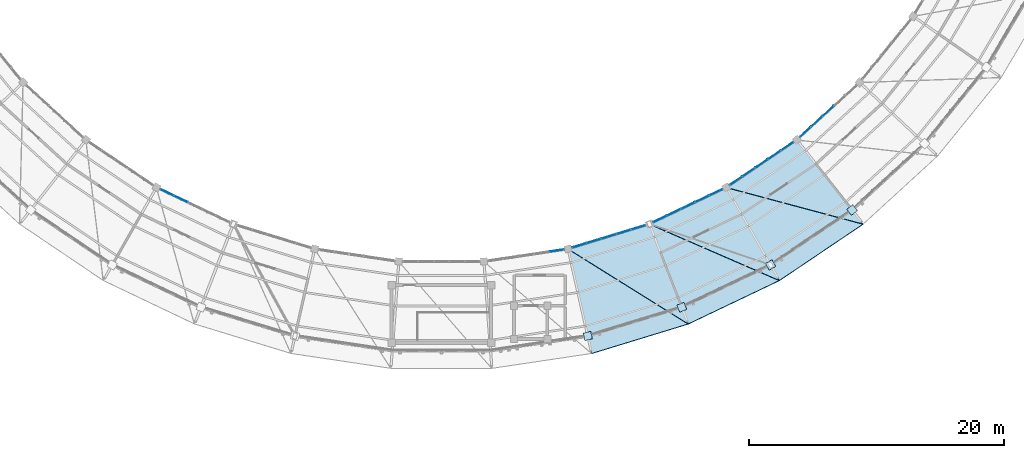
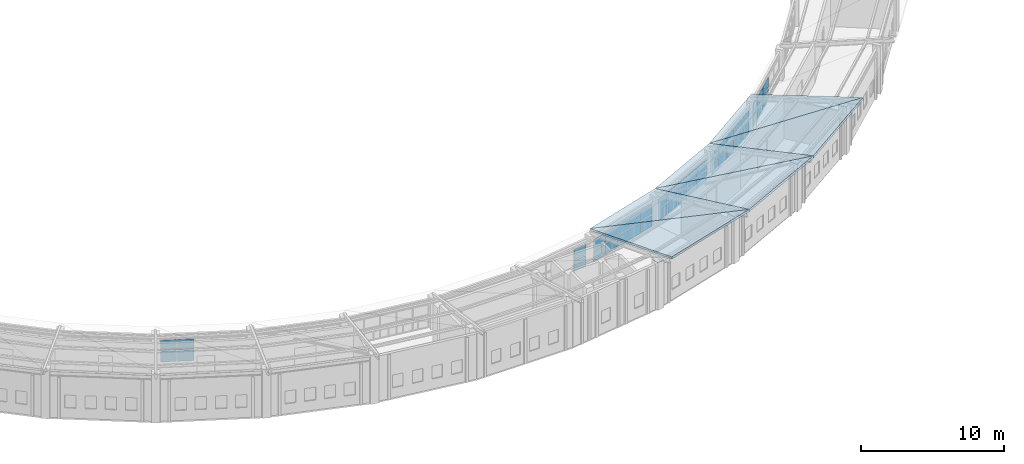
# One storey, part 104 of 149: 46 plates, 6 slabs, 6 elements without a shape of their own.
"""IFC4 building model written with IfcOpenShell, lengths in metres."""

import ifcopenshell
import ifcopenshell.guid

model = None  # the IFC model being written
_history = None  # IfcOwnerHistory: only IFC2X3 demands one
_inside = {}  # id of a spatial element -> (the spatial element, [elements in it])
_under = {}  # id of a project, library or spatial element -> (it, [spatial elements below it])
_declared = {}  # id of a project -> (the project, [libraries it declares])
_typed = {}  # id of a type object -> (the type object, [elements of that type])
_made_of = {}  # id of a material, layer set ... -> (it, [elements and type objects made of it])


def new_model(schema):
    """Start an empty IFC model of exactly this schema.

    Asked for "IFC4X3", IfcOpenShell would pick the latest addendum, in which some entities
    have other attributes; the version numbers below select the first issue.
    IFC2X3 requires an IfcOwnerHistory on every rooted entity: one is made here for all.
    """
    global model, _history
    if schema == "IFC4X3":
        model = ifcopenshell.file(schema_version=(4, 3, 0, 0))
    else:
        model = ifcopenshell.file(schema=schema)
    _inside.clear()
    _under.clear()
    _declared.clear()
    _typed.clear()
    _made_of.clear()
    _history = None
    if model.schema == "IFC2X3":
        org = make("IfcOrganization", Name="unknown")
        user = make(
            "IfcPersonAndOrganization",
            ThePerson=make("IfcPerson", FamilyName="unknown"),
            TheOrganization=org,
        )
        app = make(
            "IfcApplication",
            ApplicationDeveloper=org,
            Version="unknown",
            ApplicationFullName="unknown",
            ApplicationIdentifier="unknown",
        )
        _history = make(
            "IfcOwnerHistory",
            OwningUser=user,
            OwningApplication=app,
            ChangeAction="ADDED",
            CreationDate=0,
        )
    return model


def make(cls, **values):
    """One entity of the class cls with the attributes given. An attribute that is None is left unset."""
    return model.create_entity(
        cls, **{name: value for name, value in values.items() if value is not None}
    )


def rooted(cls, **values):
    """An entity with a GlobalId (a new one), such as an element, a storey or a relation."""
    return make(cls, GlobalId=ifcopenshell.guid.new(), OwnerHistory=_history, **values)


def si_unit(unit_type, name, prefix=None):
    """IfcSIUnit, for example si_unit("LENGTHUNIT", "METRE", prefix="MILLI")."""
    return make("IfcSIUnit", UnitType=unit_type, Prefix=prefix, Name=name)


def assignment(units):
    """IfcUnitAssignment: the units of a project."""
    return None if units is None else make("IfcUnitAssignment", Units=units)


def point(xyz):
    """IfcCartesianPoint."""
    return None if xyz is None else make("IfcCartesianPoint", Coordinates=xyz)


def direction(xyz):
    """IfcDirection."""
    return None if xyz is None else make("IfcDirection", DirectionRatios=xyz)


def frame(location, z_axis=None, x_axis=None):
    """IfcAxis2Placement3D, a coordinate frame: its origin and axes. An axis left out is left unset."""
    return make(
        "IfcAxis2Placement3D",
        Location=point(location),
        Axis=direction(z_axis),
        RefDirection=direction(x_axis),
    )


def frame_2d(location, x_axis=None):
    """IfcAxis2Placement2D, a coordinate frame in the plane: its origin and x axis."""
    return make(
        "IfcAxis2Placement2D", Location=point(location), RefDirection=direction(x_axis)
    )


def origin():
    """The frame at (0, 0, 0) with its axes left unset."""
    return frame((0.0, 0.0, 0.0))


def origin_2d():
    """The frame at (0, 0) in the plane with its x axis left unset."""
    return frame_2d((0.0, 0.0))


def place(relative_to, where):
    """IfcLocalPlacement: puts the frame where relative to a parent placement (None: the world)."""
    return make(
        "IfcLocalPlacement", PlacementRelTo=relative_to, RelativePlacement=where
    )


def context(
    kind, dimensions, precision=None, world=None, true_north=None, identifier=None
):
    """IfcGeometricRepresentationContext, for example the 3D "Model" context."""
    return make(
        "IfcGeometricRepresentationContext",
        ContextIdentifier=identifier,
        ContextType=kind,
        CoordinateSpaceDimension=dimensions,
        Precision=precision,
        WorldCoordinateSystem=world,
        TrueNorth=true_north,
    )


def subcontext(parent, identifier, kind, view, scale=None):
    """IfcGeometricRepresentationSubContext, for example "Body" below "Model"."""
    return make(
        "IfcGeometricRepresentationSubContext",
        ContextIdentifier=identifier,
        ContextType=kind,
        ParentContext=parent,
        TargetScale=scale,
        TargetView=view,
    )


def project(units=None, contexts=None):
    """IfcProject with its units and contexts."""
    return rooted(
        "IfcProject",
        Name="project",
        RepresentationContexts=contexts,
        UnitsInContext=assignment(units),
    )


def spatial(cls, under=None, at=None, **own):
    """A site, building, storey or space (cls), placed at a placement, below another one or the project."""
    s = rooted(cls, ObjectPlacement=at, **own)
    if under is not None:
        _under.setdefault(under.id(), (under, []))[1].append(s)
    return s


def polyline(points):
    """IfcPolyline through the points."""
    return make("IfcPolyline", Points=[point(p) for p in points])


def profile(cls, at=None, kind="AREA", **sizes):
    """A parametric profile (cls). Its sizes go by their IFC names, for example OverallWidth=200.0."""
    return make(cls, ProfileType=kind, Position=at, **sizes)


def rectangle(**sizes):
    """IfcRectangleProfileDef."""
    return profile("IfcRectangleProfileDef", **sizes)


def outline(outer, holes=None, kind="AREA"):
    """IfcArbitraryClosedProfileDef: a profile drawn as a closed curve; with holes, ...WithVoids."""
    if holes is None:
        return make("IfcArbitraryClosedProfileDef", ProfileType=kind, OuterCurve=outer)
    return make(
        "IfcArbitraryProfileDefWithVoids",
        ProfileType=kind,
        OuterCurve=outer,
        InnerCurves=holes,
    )


def extrude(swept, where, along, depth):
    """IfcExtrudedAreaSolid: the profile swept, set in the frame where, extruded along a direction by depth."""
    return make(
        "IfcExtrudedAreaSolid",
        SweptArea=swept,
        Position=where,
        ExtrudedDirection=direction(along),
        Depth=depth,
    )


def shape(context_of_items, identifier, shape_type, items):
    """IfcShapeRepresentation: the items that make up one representation, for example the "Body"."""
    return make(
        "IfcShapeRepresentation",
        ContextOfItems=context_of_items,
        RepresentationIdentifier=identifier,
        RepresentationType=shape_type,
        Items=items,
    )


def material(Name=None, Category=None):
    """IfcMaterial."""
    return make("IfcMaterial", Name=Name, Category=Category)


def layer(
    of_material, thickness, ventilated=None, Name=None, Category=None, Priority=None
):
    """IfcMaterialLayer: one layer of a wall or slab, of a material (None: an air gap)."""
    return make(
        "IfcMaterialLayer",
        Material=of_material,
        LayerThickness=thickness,
        IsVentilated=ventilated,
        Name=Name,
        Category=Category,
        Priority=Priority,
    )


def layer_set(layers, Name=None):
    """IfcMaterialLayerSet."""
    return make("IfcMaterialLayerSet", MaterialLayers=layers, LayerSetName=Name)


def made_of(thing, what):
    """Note that an element or type object is made of a material, layer set ...; save() writes the relation."""
    if what is not None:
        _made_of.setdefault(what.id(), (what, []))[1].append(thing)
    return thing


def type_object(cls, material=None, **own):
    """A type object (cls), such as IfcWallType, which elements share."""
    return made_of(rooted(cls, **own), material)


def element(
    cls,
    number,
    at=None,
    inside=None,
    cuts=None,
    type_object=None,
    material=None,
    context=None,
    identifier="Body",
    shape_type=None,
    held_by="IfcProductDefinitionShape",
    body=None,
    shapes=None,
    **own,
):
    """One element of the class cls, such as IfcWall. Its Tag is "e" and its number.

    at: its placement. inside: the storey or other place that contains it. cuts: it is an
    opening in that element (IfcRelVoidsElement). A single representation is given by context,
    identifier, shape_type and body (its items); several are given by shapes. held_by: the class
    of the entity that holds the representations. save() writes the other relations.
    """
    e = rooted(cls, Tag="e%d" % number, ObjectPlacement=at, **own)
    if body is not None:
        shapes = [shape(context, identifier, shape_type, body)]
    if shapes is not None:
        e.Representation = make(held_by, Representations=shapes)
    if inside is not None:
        _inside.setdefault(inside.id(), (inside, []))[1].append(e)
    if cuts is not None:
        rooted(
            "IfcRelVoidsElement", RelatingBuildingElement=cuts, RelatedOpeningElement=e
        )
    if type_object is not None:
        _typed.setdefault(type_object.id(), (type_object, []))[1].append(e)
    return made_of(e, material)


def aggregate(whole, parts):
    """IfcRelAggregates: a whole, such as a stair, and the parts it consists of."""
    return rooted("IfcRelAggregates", RelatingObject=whole, RelatedObjects=parts)


def save(model, path):
    """Write the relations noted so far, then the file.

    IfcRelAggregates (storeys below a building ...), IfcRelContainedInSpatialStructure (elements
    in a storey), IfcRelDefinesByType, IfcRelAssociatesMaterial and IfcRelDeclares: one each for
    every whole, place, type object, material and project.
    """
    for whole, parts in _under.values():
        aggregate(whole, parts)
    for where, things in _inside.values():
        rooted(
            "IfcRelContainedInSpatialStructure",
            RelatedElements=things,
            RelatingStructure=where,
        )
    for kind, things in _typed.values():
        rooted("IfcRelDefinesByType", RelatedObjects=things, RelatingType=kind)
    for what, things in _made_of.values():
        rooted("IfcRelAssociatesMaterial", RelatedObjects=things, RelatingMaterial=what)
    for by, libraries in _declared.values():
        rooted("IfcRelDeclares", RelatingContext=by, RelatedDefinitions=libraries)
    model.write(path)


model = new_model("IFC4")

# Units and contexts
model_context = context("Model", 3, precision=1e-05, world=origin(), true_north=direction((0.0, 1.0)))
body_context = subcontext(model_context, "Body", "Model", "MODEL_VIEW")
ifc_project = project(units=[si_unit("LENGTHUNIT", "METRE"), si_unit("AREAUNIT", "SQUARE_METRE"), si_unit("VOLUMEUNIT", "CUBIC_METRE"), si_unit("PLANEANGLEUNIT", "RADIAN"), si_unit("MASSUNIT", "GRAM", prefix="KILO")], contexts=[model_context])

# Site, building, storey
site_placement = place(None, origin())
site = spatial("IfcSite", under=ifc_project, at=site_placement, CompositionType="ELEMENT")
building_placement = place(site_placement, origin())
building = spatial("IfcBuilding", under=site, at=building_placement, Name="Celadon Cloister-Ring School", CompositionType="ELEMENT")
storey_placement = place(building_placement, frame((0.0, 0.0, 12.5)))
storey = spatial("IfcBuildingStorey", under=building, at=storey_placement, Name="L03", CompositionType="ELEMENT", Elevation=12.5)

# Curtain wall, plates
ifc_material_1 = material(Name="Aluminium EN AW-6063 T6", Category="aluminium")
curtain_wall_type = type_object("IfcCurtainWallType", Name="CW-02", PredefinedType="USERDEFINED", material=ifc_material_1)
curtain_wall_1_placement = place(storey_placement, origin())
curtain_wall_1 = element("IfcCurtainWall", 1, at=curtain_wall_1_placement, inside=storey, type_object=curtain_wall_type, Name="Curtain Wall 0058", ObjectType="CURTAIN WALL", PredefinedType="USERDEFINED")
ifc_material_2 = material(Name="Tempered laminated insulating glass", Category="glass")
ifc_layer_1 = layer(ifc_material_2, 0.035888671875)
ifc_layer_set_1 = layer_set([ifc_layer_1], Name="Tempered laminated insulating glass")
plate_type_1 = type_object("IfcPlateType", Name="CPN-03", PredefinedType="CURTAIN_PANEL", material=ifc_layer_set_1)
plate_1_placement = place(storey_placement, frame((65.50146484375, 19.534423828125, 0.074951171875), z_axis=(0.0, 0.0, 1.0), x_axis=(0.902651624507, -0.430371984189, 0.0)))
plate_1 = element("IfcPlate", 2, at=plate_1_placement, type_object=plate_type_1, Name="CW-02 panel 1.1", PredefinedType="CURTAIN_PANEL", context=body_context, shape_type="SweptSolid", body=[
    extrude(rectangle(XDim=1.101806640625, YDim=0.035888671875, at=origin_2d()), origin(), (0.0, 0.0, 1.0), 0.8974609375),
])
plate_2_placement = place(storey_placement, frame((65.50146484375, 19.534423828125, 1.047607421875), z_axis=(0.0, 0.0, 1.0), x_axis=(0.902651624507, -0.430371984189, 0.0)))
plate_2 = element("IfcPlate", 3, at=plate_2_placement, type_object=plate_type_1, Name="CW-02 panel 1.2", PredefinedType="CURTAIN_PANEL", context=body_context, shape_type="SweptSolid", body=[
    extrude(rectangle(XDim=1.101806640625, YDim=0.035888671875, at=origin_2d()), origin(), (0.0, 0.0, 1.0), 0.8974609375),
])
plate_3_placement = place(storey_placement, frame((66.586181640625, 19.017333984375, 0.074951171875), z_axis=(0.0, 0.0, 1.0), x_axis=(0.902651624507, -0.430371984189, 0.0)))
plate_3 = element("IfcPlate", 4, at=plate_3_placement, type_object=plate_type_1, Name="CW-02 panel 2.1", PredefinedType="CURTAIN_PANEL", context=body_context, shape_type="SweptSolid", body=[
    extrude(rectangle(XDim=1.141845703125, YDim=0.035888671875, at=origin_2d()), origin(), (0.0, 0.0, 1.0), 0.8974609375),
])
plate_4_placement = place(storey_placement, frame((66.586181640625, 19.017333984375, 1.047607421875), z_axis=(0.0, 0.0, 1.0), x_axis=(0.902651624507, -0.430371984189, 0.0)))
plate_4 = element("IfcPlate", 5, at=plate_4_placement, type_object=plate_type_1, Name="CW-02 panel 2.2", PredefinedType="CURTAIN_PANEL", context=body_context, shape_type="SweptSolid", body=[
    extrude(rectangle(XDim=1.141845703125, YDim=0.035888671875, at=origin_2d()), origin(), (0.0, 0.0, 1.0), 0.8974609375),
])
aggregate(curtain_wall_1, [plate_1, plate_2, plate_3, plate_4])

curtain_wall_2_placement = place(storey_placement, origin())
curtain_wall_2 = element("IfcCurtainWall", 6, at=curtain_wall_2_placement, inside=storey, type_object=curtain_wall_type, Name="Curtain Wall 0062", ObjectType="CURTAIN WALL", PredefinedType="USERDEFINED")
plate_5_placement = place(storey_placement, frame((96.027099609375, 14.974853515625, 0.074951171875), z_axis=(0.0, 0.0, 1.0), x_axis=(0.989015455369, 0.147812141048, 0.0)))
plate_5 = element("IfcPlate", 7, at=plate_5_placement, type_object=plate_type_1, Name="CW-02 panel 5.1", PredefinedType="CURTAIN_PANEL", context=body_context, shape_type="SweptSolid", body=[
    extrude(rectangle(XDim=1.101806640625, YDim=0.035888671875, at=origin_2d()), origin(), (0.0, 0.0, 1.0), 0.8974609375),
])
plate_6_placement = place(storey_placement, frame((96.027099609375, 14.974853515625, 1.047607421875), z_axis=(0.0, 0.0, 1.0), x_axis=(0.989015455369, 0.147812141048, 0.0)))
plate_6 = element("IfcPlate", 8, at=plate_6_placement, type_object=plate_type_1, Name="CW-02 panel 5.2", PredefinedType="CURTAIN_PANEL", context=body_context, shape_type="SweptSolid", body=[
    extrude(rectangle(XDim=1.101806640625, YDim=0.035888671875, at=origin_2d()), origin(), (0.0, 0.0, 1.0), 0.8974609375),
])
aggregate(curtain_wall_2, [plate_5, plate_6])

curtain_wall_3_placement = place(storey_placement, origin())
curtain_wall_3 = element("IfcCurtainWall", 9, at=curtain_wall_3_placement, inside=storey, type_object=curtain_wall_type, Name="Curtain Wall 0063", ObjectType="CURTAIN WALL", PredefinedType="USERDEFINED")
plate_7_placement = place(storey_placement, frame((97.797119140625, 15.37451171875, 0.074951171875), z_axis=(0.0, 0.0, 1.0), x_axis=(0.956294360146, 0.292405705746, 0.0)))
plate_7 = element("IfcPlate", 10, at=plate_7_placement, type_object=plate_type_1, Name="CW-02 panel 1.1", PredefinedType="CURTAIN_PANEL", context=body_context, shape_type="SweptSolid", body=[
    extrude(rectangle(XDim=1.1015625, YDim=0.035888671875, at=origin_2d()), origin(), (0.0, 0.0, 1.0), 0.8974609375),
])
plate_8_placement = place(storey_placement, frame((97.797119140625, 15.37451171875, 1.047607421875), z_axis=(0.0, 0.0, 1.0), x_axis=(0.956294360146, 0.292405705746, 0.0)))
plate_8 = element("IfcPlate", 11, at=plate_8_placement, type_object=plate_type_1, Name="CW-02 panel 1.2", PredefinedType="CURTAIN_PANEL", context=body_context, shape_type="SweptSolid", body=[
    extrude(rectangle(XDim=1.1015625, YDim=0.035888671875, at=origin_2d()), origin(), (0.0, 0.0, 1.0), 0.8974609375),
])
plate_9_placement = place(storey_placement, frame((98.9462890625, 15.725830078125, 0.074951171875), z_axis=(0.0, 0.0, 1.0), x_axis=(0.956294360146, 0.292405705746, 0.0)))
plate_9 = element("IfcPlate", 12, at=plate_9_placement, type_object=plate_type_1, Name="CW-02 panel 2.1", PredefinedType="CURTAIN_PANEL", context=body_context, shape_type="SweptSolid", body=[
    extrude(rectangle(XDim=1.1416015625, YDim=0.035888671875, at=origin_2d()), origin(), (0.0, 0.0, 1.0), 0.8974609375),
])
plate_10_placement = place(storey_placement, frame((98.9462890625, 15.725830078125, 1.047607421875), z_axis=(0.0, 0.0, 1.0), x_axis=(0.956294360146, 0.292405705746, 0.0)))
plate_10 = element("IfcPlate", 13, at=plate_10_placement, type_object=plate_type_1, Name="CW-02 panel 2.2", PredefinedType="CURTAIN_PANEL", context=body_context, shape_type="SweptSolid", body=[
    extrude(rectangle(XDim=1.1416015625, YDim=0.035888671875, at=origin_2d()), origin(), (0.0, 0.0, 1.0), 0.8974609375),
])
plate_11_placement = place(storey_placement, frame((100.114501953125, 16.0830078125, 0.074951171875), z_axis=(0.0, 0.0, 1.0), x_axis=(0.956294360146, 0.292405705746, 0.0)))
plate_11 = element("IfcPlate", 14, at=plate_11_placement, type_object=plate_type_1, Name="CW-02 panel 3.1", PredefinedType="CURTAIN_PANEL", context=body_context, shape_type="SweptSolid", body=[
    extrude(rectangle(XDim=1.1416015625, YDim=0.035888671875, at=origin_2d()), origin(), (0.0, 0.0, 1.0), 0.8974609375),
])
plate_12_placement = place(storey_placement, frame((100.114501953125, 16.0830078125, 1.047607421875), z_axis=(0.0, 0.0, 1.0), x_axis=(0.956294360146, 0.292405705746, 0.0)))
plate_12 = element("IfcPlate", 15, at=plate_12_placement, type_object=plate_type_1, Name="CW-02 panel 3.2", PredefinedType="CURTAIN_PANEL", context=body_context, shape_type="SweptSolid", body=[
    extrude(rectangle(XDim=1.1416015625, YDim=0.035888671875, at=origin_2d()), origin(), (0.0, 0.0, 1.0), 0.8974609375),
])
plate_13_placement = place(storey_placement, frame((101.28271484375, 16.440185546875, 0.074951171875), z_axis=(0.0, 0.0, 1.0), x_axis=(0.956294360146, 0.292405705746, 0.0)))
plate_13 = element("IfcPlate", 16, at=plate_13_placement, type_object=plate_type_1, Name="CW-02 panel 4.1", PredefinedType="CURTAIN_PANEL", context=body_context, shape_type="SweptSolid", body=[
    extrude(rectangle(XDim=1.1416015625, YDim=0.035888671875, at=origin_2d()), origin(), (0.0, 0.0, 1.0), 0.8974609375),
])
plate_14_placement = place(storey_placement, frame((101.28271484375, 16.440185546875, 1.047607421875), z_axis=(0.0, 0.0, 1.0), x_axis=(0.956294360146, 0.292405705746, 0.0)))
plate_14 = element("IfcPlate", 17, at=plate_14_placement, type_object=plate_type_1, Name="CW-02 panel 4.2", PredefinedType="CURTAIN_PANEL", context=body_context, shape_type="SweptSolid", body=[
    extrude(rectangle(XDim=1.1416015625, YDim=0.035888671875, at=origin_2d()), origin(), (0.0, 0.0, 1.0), 0.8974609375),
])
plate_15_placement = place(storey_placement, frame((102.431884765625, 16.79150390625, 0.074951171875), z_axis=(0.0, 0.0, 1.0), x_axis=(0.956294360146, 0.292405705746, 0.0)))
plate_15 = element("IfcPlate", 18, at=plate_15_placement, type_object=plate_type_1, Name="CW-02 panel 5.1", PredefinedType="CURTAIN_PANEL", context=body_context, shape_type="SweptSolid", body=[
    extrude(rectangle(XDim=1.1015625, YDim=0.035888671875, at=origin_2d()), origin(), (0.0, 0.0, 1.0), 0.8974609375),
])
plate_16_placement = place(storey_placement, frame((102.431884765625, 16.79150390625, 1.047607421875), z_axis=(0.0, 0.0, 1.0), x_axis=(0.956294360146, 0.292405705746, 0.0)))
plate_16 = element("IfcPlate", 19, at=plate_16_placement, type_object=plate_type_1, Name="CW-02 panel 5.2", PredefinedType="CURTAIN_PANEL", context=body_context, shape_type="SweptSolid", body=[
    extrude(rectangle(XDim=1.1015625, YDim=0.035888671875, at=origin_2d()), origin(), (0.0, 0.0, 1.0), 0.8974609375),
])
aggregate(curtain_wall_3, [plate_7, plate_8, plate_9, plate_10, plate_11, plate_12, plate_13, plate_14, plate_15, plate_16])

curtain_wall_4_placement = place(storey_placement, origin())
curtain_wall_4 = element("IfcCurtainWall", 20, at=curtain_wall_4_placement, inside=storey, type_object=curtain_wall_type, Name="Curtain Wall 0064", ObjectType="CURTAIN WALL", PredefinedType="USERDEFINED")
plate_17_placement = place(storey_placement, frame((104.12353515625, 17.448486328125, 0.074951171875), z_axis=(0.0, 0.0, 1.0), x_axis=(0.902651624507, 0.430371984189, 0.0)))
plate_17 = element("IfcPlate", 21, at=plate_17_placement, type_object=plate_type_1, Name="CW-02 panel 1.1", PredefinedType="CURTAIN_PANEL", context=body_context, shape_type="SweptSolid", body=[
    extrude(rectangle(XDim=1.101806640625, YDim=0.035888671875, at=origin_2d()), origin(), (0.0, 0.0, 1.0), 0.8974609375),
])
plate_18_placement = place(storey_placement, frame((104.12353515625, 17.448486328125, 1.047607421875), z_axis=(0.0, 0.0, 1.0), x_axis=(0.902651624507, 0.430371984189, 0.0)))
plate_18 = element("IfcPlate", 22, at=plate_18_placement, type_object=plate_type_1, Name="CW-02 panel 1.2", PredefinedType="CURTAIN_PANEL", context=body_context, shape_type="SweptSolid", body=[
    extrude(rectangle(XDim=1.101806640625, YDim=0.035888671875, at=origin_2d()), origin(), (0.0, 0.0, 1.0), 0.8974609375),
])
plate_19_placement = place(storey_placement, frame((105.208251953125, 17.9658203125, 0.074951171875), z_axis=(0.0, 0.0, 1.0), x_axis=(0.902651624507, 0.430371984189, 0.0)))
plate_19 = element("IfcPlate", 23, at=plate_19_placement, type_object=plate_type_1, Name="CW-02 panel 2.1", PredefinedType="CURTAIN_PANEL", context=body_context, shape_type="SweptSolid", body=[
    extrude(rectangle(XDim=1.141845703125, YDim=0.035888671875, at=origin_2d()), origin(), (0.0, 0.0, 1.0), 0.8974609375),
])
plate_20_placement = place(storey_placement, frame((105.208251953125, 17.9658203125, 1.047607421875), z_axis=(0.0, 0.0, 1.0), x_axis=(0.902651624507, 0.430371984189, 0.0)))
plate_20 = element("IfcPlate", 24, at=plate_20_placement, type_object=plate_type_1, Name="CW-02 panel 2.2", PredefinedType="CURTAIN_PANEL", context=body_context, shape_type="SweptSolid", body=[
    extrude(rectangle(XDim=1.141845703125, YDim=0.035888671875, at=origin_2d()), origin(), (0.0, 0.0, 1.0), 0.8974609375),
])
plate_21_placement = place(storey_placement, frame((106.31103515625, 18.491455078125, 0.074951171875), z_axis=(0.0, 0.0, 1.0), x_axis=(0.902651624507, 0.430371984189, 0.0)))
plate_21 = element("IfcPlate", 25, at=plate_21_placement, type_object=plate_type_1, Name="CW-02 panel 3.1", PredefinedType="CURTAIN_PANEL", context=body_context, shape_type="SweptSolid", body=[
    extrude(rectangle(XDim=1.141845703125, YDim=0.035888671875, at=origin_2d()), origin(), (0.0, 0.0, 1.0), 0.8974609375),
])
plate_22_placement = place(storey_placement, frame((106.31103515625, 18.491455078125, 1.047607421875), z_axis=(0.0, 0.0, 1.0), x_axis=(0.902651624507, 0.430371984189, 0.0)))
plate_22 = element("IfcPlate", 26, at=plate_22_placement, type_object=plate_type_1, Name="CW-02 panel 3.2", PredefinedType="CURTAIN_PANEL", context=body_context, shape_type="SweptSolid", body=[
    extrude(rectangle(XDim=1.141845703125, YDim=0.035888671875, at=origin_2d()), origin(), (0.0, 0.0, 1.0), 0.8974609375),
])
plate_23_placement = place(storey_placement, frame((107.413818359375, 19.017333984375, 0.074951171875), z_axis=(0.0, 0.0, 1.0), x_axis=(0.902651624507, 0.430371984189, 0.0)))
plate_23 = element("IfcPlate", 27, at=plate_23_placement, type_object=plate_type_1, Name="CW-02 panel 4.1", PredefinedType="CURTAIN_PANEL", context=body_context, shape_type="SweptSolid", body=[
    extrude(rectangle(XDim=1.141845703125, YDim=0.035888671875, at=origin_2d()), origin(), (0.0, 0.0, 1.0), 0.8974609375),
])
plate_24_placement = place(storey_placement, frame((107.413818359375, 19.017333984375, 1.047607421875), z_axis=(0.0, 0.0, 1.0), x_axis=(0.902651624507, 0.430371984189, 0.0)))
plate_24 = element("IfcPlate", 28, at=plate_24_placement, type_object=plate_type_1, Name="CW-02 panel 4.2", PredefinedType="CURTAIN_PANEL", context=body_context, shape_type="SweptSolid", body=[
    extrude(rectangle(XDim=1.141845703125, YDim=0.035888671875, at=origin_2d()), origin(), (0.0, 0.0, 1.0), 0.8974609375),
])
plate_25_placement = place(storey_placement, frame((108.49853515625, 19.534423828125, 0.074951171875), z_axis=(0.0, 0.0, 1.0), x_axis=(0.902651624507, 0.430371984189, 0.0)))
plate_25 = element("IfcPlate", 29, at=plate_25_placement, type_object=plate_type_1, Name="CW-02 panel 5.1", PredefinedType="CURTAIN_PANEL", context=body_context, shape_type="SweptSolid", body=[
    extrude(rectangle(XDim=1.101806640625, YDim=0.035888671875, at=origin_2d()), origin(), (0.0, 0.0, 1.0), 0.8974609375),
])
plate_26_placement = place(storey_placement, frame((108.49853515625, 19.534423828125, 1.047607421875), z_axis=(0.0, 0.0, 1.0), x_axis=(0.902651624507, 0.430371984189, 0.0)))
plate_26 = element("IfcPlate", 30, at=plate_26_placement, type_object=plate_type_1, Name="CW-02 panel 5.2", PredefinedType="CURTAIN_PANEL", context=body_context, shape_type="SweptSolid", body=[
    extrude(rectangle(XDim=1.101806640625, YDim=0.035888671875, at=origin_2d()), origin(), (0.0, 0.0, 1.0), 0.8974609375),
])
aggregate(curtain_wall_4, [plate_17, plate_18, plate_19, plate_20, plate_21, plate_22, plate_23, plate_24, plate_25, plate_26])

curtain_wall_5_placement = place(storey_placement, origin())
curtain_wall_5 = element("IfcCurtainWall", 31, at=curtain_wall_5_placement, inside=storey, type_object=curtain_wall_type, Name="Curtain Wall 0065", ObjectType="CURTAIN WALL", PredefinedType="USERDEFINED")
plate_27_placement = place(storey_placement, frame((110.07421875, 20.4345703125, 0.074951171875), z_axis=(0.0, 0.0, 1.0), x_axis=(0.829269725916, 0.558848567753, 0.0)))
plate_27 = element("IfcPlate", 32, at=plate_27_placement, type_object=plate_type_1, Name="CW-02 panel 1.1", PredefinedType="CURTAIN_PANEL", context=body_context, shape_type="SweptSolid", body=[
    extrude(rectangle(XDim=1.101806640625, YDim=0.035888671875, at=origin_2d()), origin(), (0.0, 0.0, 1.0), 0.8974609375),
])
plate_28_placement = place(storey_placement, frame((110.07421875, 20.4345703125, 1.047607421875), z_axis=(0.0, 0.0, 1.0), x_axis=(0.829269725916, 0.558848567753, 0.0)))
plate_28 = element("IfcPlate", 33, at=plate_28_placement, type_object=plate_type_1, Name="CW-02 panel 1.2", PredefinedType="CURTAIN_PANEL", context=body_context, shape_type="SweptSolid", body=[
    extrude(rectangle(XDim=1.101806640625, YDim=0.035888671875, at=origin_2d()), origin(), (0.0, 0.0, 1.0), 0.8974609375),
])
plate_29_placement = place(storey_placement, frame((111.07080078125, 21.106201171875, 0.074951171875), z_axis=(0.0, 0.0, 1.0), x_axis=(0.829269725916, 0.558848567753, 0.0)))
plate_29 = element("IfcPlate", 34, at=plate_29_placement, type_object=plate_type_1, Name="CW-02 panel 2.1", PredefinedType="CURTAIN_PANEL", context=body_context, shape_type="SweptSolid", body=[
    extrude(rectangle(XDim=1.141845703125, YDim=0.035888671875, at=origin_2d()), origin(), (0.0, 0.0, 1.0), 0.8974609375),
])
plate_30_placement = place(storey_placement, frame((111.07080078125, 21.106201171875, 1.047607421875), z_axis=(0.0, 0.0, 1.0), x_axis=(0.829269725916, 0.558848567753, 0.0)))
plate_30 = element("IfcPlate", 35, at=plate_30_placement, type_object=plate_type_1, Name="CW-02 panel 2.2", PredefinedType="CURTAIN_PANEL", context=body_context, shape_type="SweptSolid", body=[
    extrude(rectangle(XDim=1.141845703125, YDim=0.035888671875, at=origin_2d()), origin(), (0.0, 0.0, 1.0), 0.8974609375),
])
plate_31_placement = place(storey_placement, frame((112.083984375, 21.7890625, 0.074951171875), z_axis=(0.0, 0.0, 1.0), x_axis=(0.829269725916, 0.558848567753, 0.0)))
plate_31 = element("IfcPlate", 36, at=plate_31_placement, type_object=plate_type_1, Name="CW-02 panel 3.1", PredefinedType="CURTAIN_PANEL", context=body_context, shape_type="SweptSolid", body=[
    extrude(rectangle(XDim=1.141845703125, YDim=0.035888671875, at=origin_2d()), origin(), (0.0, 0.0, 1.0), 0.8974609375),
])
plate_32_placement = place(storey_placement, frame((112.083984375, 21.7890625, 1.047607421875), z_axis=(0.0, 0.0, 1.0), x_axis=(0.829269725916, 0.558848567753, 0.0)))
plate_32 = element("IfcPlate", 37, at=plate_32_placement, type_object=plate_type_1, Name="CW-02 panel 3.2", PredefinedType="CURTAIN_PANEL", context=body_context, shape_type="SweptSolid", body=[
    extrude(rectangle(XDim=1.141845703125, YDim=0.035888671875, at=origin_2d()), origin(), (0.0, 0.0, 1.0), 0.8974609375),
])
plate_33_placement = place(storey_placement, frame((113.09716796875, 22.4716796875, 0.074951171875), z_axis=(0.0, 0.0, 1.0), x_axis=(0.829269725916, 0.558848567753, 0.0)))
plate_33 = element("IfcPlate", 38, at=plate_33_placement, type_object=plate_type_1, Name="CW-02 panel 4.1", PredefinedType="CURTAIN_PANEL", context=body_context, shape_type="SweptSolid", body=[
    extrude(rectangle(XDim=1.141845703125, YDim=0.035888671875, at=origin_2d()), origin(), (0.0, 0.0, 1.0), 0.8974609375),
])
plate_34_placement = place(storey_placement, frame((113.09716796875, 22.4716796875, 1.047607421875), z_axis=(0.0, 0.0, 1.0), x_axis=(0.829269725916, 0.558848567753, 0.0)))
plate_34 = element("IfcPlate", 39, at=plate_34_placement, type_object=plate_type_1, Name="CW-02 panel 4.2", PredefinedType="CURTAIN_PANEL", context=body_context, shape_type="SweptSolid", body=[
    extrude(rectangle(XDim=1.141845703125, YDim=0.035888671875, at=origin_2d()), origin(), (0.0, 0.0, 1.0), 0.8974609375),
])
plate_35_placement = place(storey_placement, frame((114.09375, 23.143310546875, 0.074951171875), z_axis=(0.0, 0.0, 1.0), x_axis=(0.829269725916, 0.558848567753, 0.0)))
plate_35 = element("IfcPlate", 40, at=plate_35_placement, type_object=plate_type_1, Name="CW-02 panel 5.1", PredefinedType="CURTAIN_PANEL", context=body_context, shape_type="SweptSolid", body=[
    extrude(rectangle(XDim=1.101806640625, YDim=0.035888671875, at=origin_2d()), origin(), (0.0, 0.0, 1.0), 0.8974609375),
])
plate_36_placement = place(storey_placement, frame((114.09375, 23.143310546875, 1.047607421875), z_axis=(0.0, 0.0, 1.0), x_axis=(0.829269725916, 0.558848567753, 0.0)))
plate_36 = element("IfcPlate", 41, at=plate_36_placement, type_object=plate_type_1, Name="CW-02 panel 5.2", PredefinedType="CURTAIN_PANEL", context=body_context, shape_type="SweptSolid", body=[
    extrude(rectangle(XDim=1.101806640625, YDim=0.035888671875, at=origin_2d()), origin(), (0.0, 0.0, 1.0), 0.8974609375),
])
aggregate(curtain_wall_5, [plate_27, plate_28, plate_29, plate_30, plate_31, plate_32, plate_33, plate_34, plate_35, plate_36])

curtain_wall_6_placement = place(storey_placement, origin())
curtain_wall_6 = element("IfcCurtainWall", 42, at=curtain_wall_6_placement, inside=storey, type_object=curtain_wall_type, Name="Curtain Wall 0066", ObjectType="CURTAIN WALL", PredefinedType="USERDEFINED")
plate_37_placement = place(storey_placement, frame((115.519287109375, 24.26611328125, 0.074951171875), z_axis=(0.0, 0.0, 1.0), x_axis=(0.737446251531, 0.675405823267, 0.0)))
plate_37 = element("IfcPlate", 43, at=plate_37_placement, type_object=plate_type_1, Name="CW-02 panel 1.1", PredefinedType="CURTAIN_PANEL", context=body_context, shape_type="SweptSolid", body=[
    extrude(rectangle(XDim=1.101806640625, YDim=0.035888671875, at=origin_2d()), origin(), (0.0, 0.0, 1.0), 0.8974609375),
])
plate_38_placement = place(storey_placement, frame((115.519287109375, 24.26611328125, 1.047607421875), z_axis=(0.0, 0.0, 1.0), x_axis=(0.737446251531, 0.675405823267, 0.0)))
plate_38 = element("IfcPlate", 44, at=plate_38_placement, type_object=plate_type_1, Name="CW-02 panel 1.2", PredefinedType="CURTAIN_PANEL", context=body_context, shape_type="SweptSolid", body=[
    extrude(rectangle(XDim=1.101806640625, YDim=0.035888671875, at=origin_2d()), origin(), (0.0, 0.0, 1.0), 0.8974609375),
])
plate_39_placement = place(storey_placement, frame((116.405517578125, 25.077880859375, 0.074951171875), z_axis=(0.0, 0.0, 1.0), x_axis=(0.737446251531, 0.675405823267, 0.0)))
plate_39 = element("IfcPlate", 45, at=plate_39_placement, type_object=plate_type_1, Name="CW-02 panel 2.1", PredefinedType="CURTAIN_PANEL", context=body_context, shape_type="SweptSolid", body=[
    extrude(rectangle(XDim=1.141845703125, YDim=0.035888671875, at=origin_2d()), origin(), (0.0, 0.0, 1.0), 0.8974609375),
])
plate_40_placement = place(storey_placement, frame((116.405517578125, 25.077880859375, 1.047607421875), z_axis=(0.0, 0.0, 1.0), x_axis=(0.737446251531, 0.675405823267, 0.0)))
plate_40 = element("IfcPlate", 46, at=plate_40_placement, type_object=plate_type_1, Name="CW-02 panel 2.2", PredefinedType="CURTAIN_PANEL", context=body_context, shape_type="SweptSolid", body=[
    extrude(rectangle(XDim=1.141845703125, YDim=0.035888671875, at=origin_2d()), origin(), (0.0, 0.0, 1.0), 0.8974609375),
])
plate_41_placement = place(storey_placement, frame((117.306396484375, 25.903076171875, 0.074951171875), z_axis=(0.0, 0.0, 1.0), x_axis=(0.737446251531, 0.675405823267, 0.0)))
plate_41 = element("IfcPlate", 47, at=plate_41_placement, type_object=plate_type_1, Name="CW-02 panel 3.1", PredefinedType="CURTAIN_PANEL", context=body_context, shape_type="SweptSolid", body=[
    extrude(rectangle(XDim=1.141845703125, YDim=0.035888671875, at=origin_2d()), origin(), (0.0, 0.0, 1.0), 0.8974609375),
])
plate_42_placement = place(storey_placement, frame((117.306396484375, 25.903076171875, 1.047607421875), z_axis=(0.0, 0.0, 1.0), x_axis=(0.737446251531, 0.675405823267, 0.0)))
plate_42 = element("IfcPlate", 48, at=plate_42_placement, type_object=plate_type_1, Name="CW-02 panel 3.2", PredefinedType="CURTAIN_PANEL", context=body_context, shape_type="SweptSolid", body=[
    extrude(rectangle(XDim=1.141845703125, YDim=0.035888671875, at=origin_2d()), origin(), (0.0, 0.0, 1.0), 0.8974609375),
])
aggregate(curtain_wall_6, [plate_37, plate_38, plate_39, plate_40, plate_41, plate_42])

# Plates
ifc_material_3 = material(Name="Structural steel S355JR", Category="steel")
ifc_layer_2 = layer(ifc_material_3, 0.02001953125)
ifc_layer_set_2 = layer_set([ifc_layer_2], Name="Structural steel S355JR")
plate_type_2 = type_object("IfcPlateType", Name="PT-01", PredefinedType="SHEET", material=ifc_layer_set_2)
for number, where, z_axis, x_axis, name in (
    (49, (98.470947265625, 8.281005859375, 4.041015625), (0.0, 0.0, 1.0), (0.220595296203, -0.975365426542, 0.0), "Gusset Plate 0022"),
    (50, (105.837890625, 10.531982421875, 4.0390625), (0.0, 0.0, 1.0), (0.362275366705, -0.932071112458, 0.0), "Gusset Plate 0023"),
    (51, (112.7919921875, 13.846923828125, 4.041015625), (0.0, 0.0, 1.0), (0.496004347874, -0.868320037135, 0.0), "Gusset Plate 0024"),
    (52, (119.179931640625, 18.153076171875, 4.041015625), (0.0, 0.0, 1.0), (0.618847204173, -0.785511386224, 0.0), "Gusset Plate 0025"),
):
    element("IfcPlate", number, at=place(storey_placement, frame(where, z_axis=z_axis, x_axis=x_axis)), inside=storey, type_object=plate_type_2, Name=name, PredefinedType="SHEET", context=body_context, shape_type="SweptSolid", body=[
        extrude(rectangle(XDim=0.60009765625, YDim=0.60009765625, at=origin_2d()), origin(), (0.0, 0.0, 1.0), 0.02001953125),
    ])

# Slabs
ifc_material_4 = material(Name="Concrete C35/45", Category="concrete")
ifc_layer_3 = layer(ifc_material_4, 0.179931640625)
ifc_layer_set_3 = layer_set([ifc_layer_3], Name="Concrete C35/45")
slab_type = type_object("IfcSlabType", Name="SL-RF1", PredefinedType="ROOF", material=ifc_layer_set_3)
slab_1_placement = place(storey_placement, frame((96.927001953125, 15.10888671875, 3.10009765625), z_axis=(-0.064633911522, 0.211510551009, 0.975236250502), x_axis=(0.215144950598, -0.95134319262, 0.220587352511)))
element("IfcSlab", 53, at=slab_1_placement, inside=storey, type_object=slab_type, Name="Conical Upper Roof Inner Tri 0079", PredefinedType="ROOF", context=body_context, shape_type="SweptSolid", body=[
    extrude(outline(polyline([(0.0, 0.0), (8.61292509350369, 1.457167719820518e-16), (8.041177531232046, 7.8906031215952), (0.0, 0.0)])), origin(), (0.0, 0.0, -1.0), 0.179931640625),
])
slab_2_placement = place(storey_placement, frame((96.927001953125, 15.10888671875, 3.10009765625), z_axis=(-0.064631870006, 0.211513647023, 0.975235714329), x_axis=(0.836052517355, -0.522088575638, 0.168640764387)))
element("IfcSlab", 54, at=slab_2_placement, inside=storey, type_object=slab_type, Name="Conical Upper Roof Outer Tri 0080", PredefinedType="ROOF", context=body_context, shape_type="SweptSolid", body=[
    extrude(outline(polyline([(0.0, 0.0), (11.265973269598991, 1.6653345369377348e-16), (4.312807272498329, 5.082815639083748), (0.0, 0.0)])), origin(), (0.0, 0.0, -1.0), 0.179931640625),
])
slab_3_placement = place(storey_placement, frame((103.302001953125, 17.056884765625, 3.10009765625), z_axis=(-0.095189593284, 0.199634014738, 0.975235972209), x_axis=(0.353418228747, -0.909085339601, 0.220588759714)))
element("IfcSlab", 55, at=slab_3_placement, inside=storey, type_object=slab_type, Name="Conical Upper Roof Inner Tri 0083", PredefinedType="ROOF", context=body_context, shape_type="SweptSolid", body=[
    extrude(outline(polyline([(0.0, 0.0), (8.612870149035754, -3.8163916471489756e-16), (8.041207541475929, 7.8906859823047135), (0.0, 0.0)])), origin(), (0.0, 0.0, -1.0), 0.179931640625),
])
slab_4_placement = place(storey_placement, frame((103.302001953125, 17.056884765625, 3.10009765625), z_axis=(-0.09518309846, 0.199648006896, 0.975233741782), x_axis=(0.904048546781, -0.392755545852, 0.168639575029)))
element("IfcSlab", 56, at=slab_4_placement, inside=storey, type_object=slab_type, Name="Conical Upper Roof Outer Tri 0084", PredefinedType="ROOF", context=body_context, shape_type="SweptSolid", body=[
    extrude(outline(polyline([(0.0, 0.0), (11.266052724731471, -2.220446049250313e-16), (4.31375329670281, 5.083367357495011), (0.0, 0.0)])), origin(), (0.0, 0.0, -1.0), 0.179931640625),
])
slab_5_placement = place(storey_placement, frame((109.320068359375, 19.926025390625, 3.10009765625), z_axis=(-0.123639587889, 0.183390985459, 0.975233817481), x_axis=(0.483830945661, -0.846902585691, 0.220598337189)))
element("IfcSlab", 57, at=slab_5_placement, inside=storey, type_object=slab_type, Name="Conical Upper Roof Inner Tri 0087", PredefinedType="ROOF", context=body_context, shape_type="SweptSolid", body=[
    extrude(outline(polyline([(0.0, 0.0), (8.612496213538414, 3.3306690738754696e-16), (8.040967581495593, 7.8895302784055845), (0.0, 0.0)])), origin(), (0.0, 0.0, -1.0), 0.179931640625),
])
slab_6_placement = place(storey_placement, frame((109.320068359375, 19.926025390625, 3.10009765625), z_axis=(-0.123632412858, 0.183415351326, 0.975230144832), x_axis=(0.952131513868, -0.254953568596, 0.168654256275)))
element("IfcSlab", 58, at=slab_6_placement, inside=storey, type_object=slab_type, Name="Conical Upper Roof Outer Tri 0088", PredefinedType="ROOF", context=body_context, shape_type="SweptSolid", body=[
    extrude(outline(polyline([(0.0, 0.0), (11.265072021986432, 0.0), (4.313247161396539, 5.08295730594421), (0.0, 0.0)])), origin(), (0.0, 0.0, -1.0), 0.179931640625),
])

save(model, "model.ifc")
